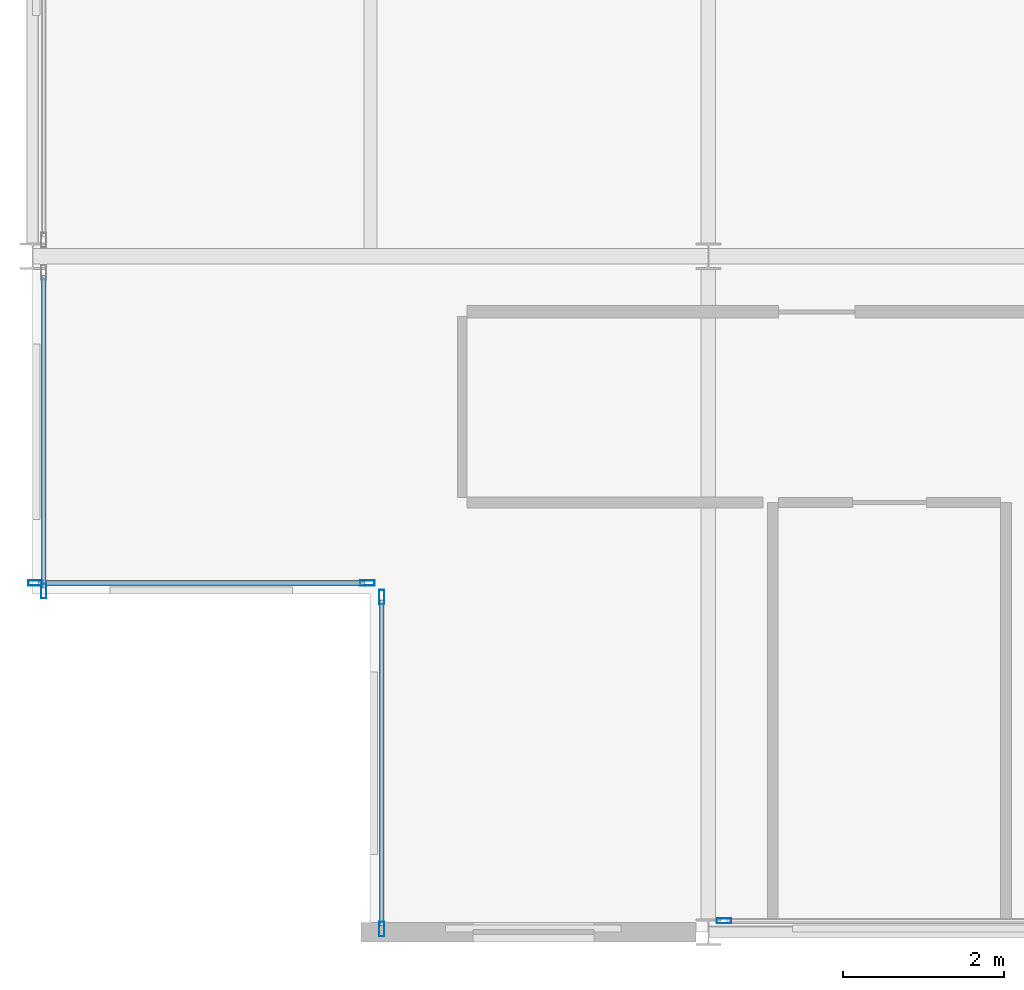
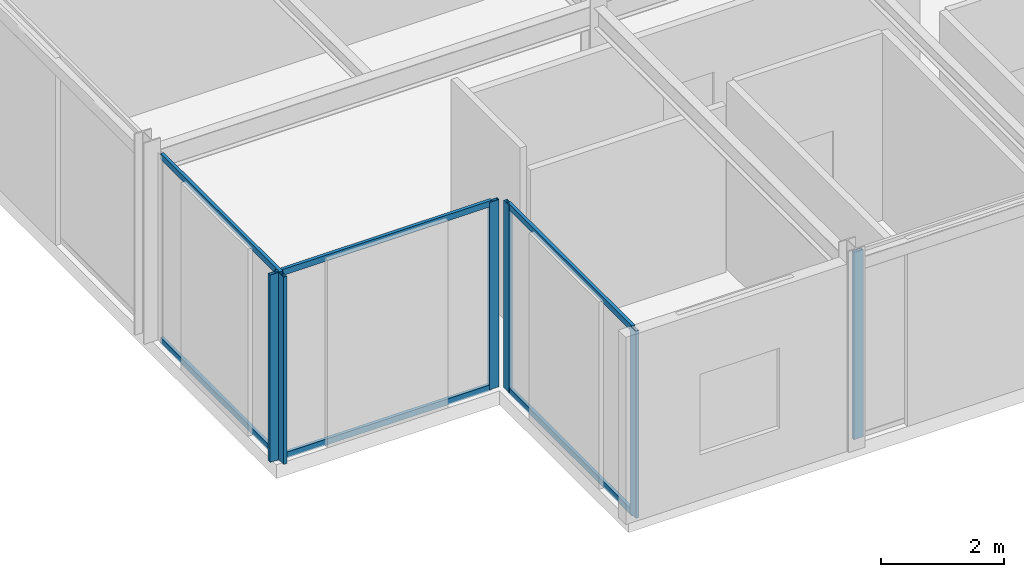
# One storey, part 3 of 24: 12 members, 4 elements without a shape of their own.
"""IFC4 building model written with IfcOpenShell, lengths in metres."""

from ifc_helpers import new_model, si_unit, direction, frame, origin, origin_2d, place, context, subcontext, project, spatial, hollow_rectangle, extrude, material, layer, layer_set, material_profile, profile_set, type_object, element, aggregate, save


model = new_model("IFC4")

# Units and contexts
model_context = context("Model", 3, precision=1e-05, world=origin(), true_north=direction((0.0, 1.0)))
body_context = subcontext(model_context, "Body", "Model", "MODEL_VIEW")
ifc_project = project(units=[si_unit("LENGTHUNIT", "METRE"), si_unit("AREAUNIT", "SQUARE_METRE"), si_unit("VOLUMEUNIT", "CUBIC_METRE"), si_unit("PLANEANGLEUNIT", "RADIAN"), si_unit("MASSUNIT", "GRAM", prefix="KILO")], contexts=[model_context])

# Site, building, storey
site_placement = place(None, origin())
site = spatial("IfcSite", under=ifc_project, at=site_placement, CompositionType="ELEMENT")
building_placement = place(site_placement, origin())
building = spatial("IfcBuilding", under=site, at=building_placement, Name="Nerrivon Quay Data Exchange", CompositionType="ELEMENT")
storey_placement = place(building_placement, frame((0.0, 0.0, 294.199951171875)))
storey = spatial("IfcBuildingStorey", under=building, at=storey_placement, Name="L70", CompositionType="ELEMENT", Elevation=294.199951171875)

# Curtain wall, member
ifc_material = material(Name="Anodised aluminium 6063-T6", Category="aluminium")
ifc_layer = layer(ifc_material, 0.195068359375)
ifc_layer_set = layer_set([ifc_layer], Name="Anodised aluminium 6063-T6")
curtain_wall_type = type_object("IfcCurtainWallType", Name="CW-SYS-06", PredefinedType="NOTDEFINED", material=ifc_layer_set)
curtain_wall_1_placement = place(storey_placement, origin())
curtain_wall_1 = element("IfcCurtainWall", 1, at=curtain_wall_1_placement, inside=storey, type_object=curtain_wall_type, Name="L70 Unitised Curtain Wall 4", PredefinedType="NOTDEFINED")
ifc_material_profile_1 = material_profile(ifc_material, hollow_rectangle(XDim=0.06494140625, YDim=0.179931640625, WallThickness=0.00341796875, at=origin_2d()), Name="ALU-MULL-180x65")
ifc_profile_set_1 = profile_set([ifc_material_profile_1], Name="Anodised aluminium 6063-T6")
member_type_1 = type_object("IfcMemberType", Name="CWM-180x65", PredefinedType="MULLION", material=ifc_profile_set_1)
member_1_placement = place(storey_placement, frame((8.593017578125, 0.139892578125, 0.0), z_axis=(0.0, 0.0, 1.0), x_axis=(0.0, -1.0, 0.0)))
member_1 = element("IfcMember", 2, at=member_1_placement, type_object=member_type_1, Name="CW06 mullion 2", PredefinedType="MULLION", context=body_context, shape_type="SweptSolid", body=[
    extrude(hollow_rectangle(XDim=0.06494140625, YDim=0.179931640625, WallThickness=0.00341796875, at=origin_2d()), origin(), (0.0, 0.0, 1.0), 3.72509765625),
])
aggregate(curtain_wall_1, [member_1])

# Curtain wall, members
curtain_wall_2_placement = place(storey_placement, origin())
curtain_wall_2 = element("IfcCurtainWall", 3, at=curtain_wall_2_placement, inside=storey, type_object=curtain_wall_type, Name="L70 Unitised Curtain Wall 6", PredefinedType="NOTDEFINED")
member_2_placement = place(storey_placement, frame((4.340087890625, 0.03759765625, 0.0), z_axis=(0.0, 0.0, 1.0), x_axis=(-1.0, 0.0, 0.0)))
member_2 = element("IfcMember", 4, at=member_2_placement, type_object=member_type_1, Name="CW06 mullion 1", PredefinedType="MULLION", context=body_context, shape_type="SweptSolid", body=[
    extrude(hollow_rectangle(XDim=0.06494140625, YDim=0.179931640625, WallThickness=0.00341796875, at=origin_2d()), origin(), (0.0, 0.0, 1.0), 3.72509765625),
])
member_3_placement = place(storey_placement, frame((4.340087890625, 4.16259765625, 0.0), z_axis=(0.0, 0.0, 1.0), x_axis=(-1.0, 0.0, 0.0)))
member_3 = element("IfcMember", 5, at=member_3_placement, type_object=member_type_1, Name="CW06 mullion 2", PredefinedType="MULLION", context=body_context, shape_type="SweptSolid", body=[
    extrude(hollow_rectangle(XDim=0.06494140625, YDim=0.179931640625, WallThickness=0.00341796875, at=origin_2d()), origin(), (0.0, 0.0, 1.0), 3.72509765625),
])

curtain_wall_3_placement = place(storey_placement, origin())
curtain_wall_3 = element("IfcCurtainWall", 6, at=curtain_wall_3_placement, inside=storey, type_object=curtain_wall_type, Name="L70 Unitised Curtain Wall 7", PredefinedType="NOTDEFINED")
member_4_placement = place(storey_placement, frame((4.16259765625, 4.340087890625, 0.0), z_axis=(0.0, 0.0, 1.0), x_axis=(0.0, -1.0, 0.0)))
member_4 = element("IfcMember", 7, at=member_4_placement, type_object=member_type_1, Name="CW06 mullion 1", PredefinedType="MULLION", context=body_context, shape_type="SweptSolid", body=[
    extrude(hollow_rectangle(XDim=0.06494140625, YDim=0.179931640625, WallThickness=0.00341796875, at=origin_2d()), origin(), (0.0, 0.0, 1.0), 3.72509765625),
])
member_5_placement = place(storey_placement, frame((0.03759765625, 4.340087890625, 0.0), z_axis=(0.0, 0.0, 1.0), x_axis=(0.0, -1.0, 0.0)))
member_5 = element("IfcMember", 8, at=member_5_placement, type_object=member_type_1, Name="CW06 mullion 2", PredefinedType="MULLION", context=body_context, shape_type="SweptSolid", body=[
    extrude(hollow_rectangle(XDim=0.06494140625, YDim=0.179931640625, WallThickness=0.00341796875, at=origin_2d()), origin(), (0.0, 0.0, 1.0), 3.72509765625),
])

# Curtain wall, member
curtain_wall_4_placement = place(storey_placement, origin())
curtain_wall_4 = element("IfcCurtainWall", 9, at=curtain_wall_4_placement, inside=storey, type_object=curtain_wall_type, Name="L70 Unitised Curtain Wall 8", PredefinedType="NOTDEFINED")
member_6_placement = place(storey_placement, frame((0.139892578125, 4.237548828125, 0.0), z_axis=(0.0, 0.0, 1.0), x_axis=(-1.0, 0.0, 0.0)))
member_6 = element("IfcMember", 10, at=member_6_placement, type_object=member_type_1, Name="CW06 mullion 1", PredefinedType="MULLION", context=body_context, shape_type="SweptSolid", body=[
    extrude(hollow_rectangle(XDim=0.06494140625, YDim=0.179931640625, WallThickness=0.00341796875, at=origin_2d()), origin(), (0.0, 0.0, 1.0), 3.72509765625),
])

# Member
ifc_material_profile_2 = material_profile(ifc_material, hollow_rectangle(XDim=0.06005859375, YDim=0.1201171875, WallThickness=0.003173828125, at=origin_2d()), Name="ALU-TRAN-120x60")
ifc_profile_set_2 = profile_set([ifc_material_profile_2], Name="Anodised aluminium 6063-T6")
member_type_2 = type_object("IfcMemberType", Name="CWT-120x60", PredefinedType="USERDEFINED", material=ifc_profile_set_2)
member_7_placement = place(storey_placement, frame((4.340087890625, 0.074951171875, 0.032470703125), z_axis=(0.0, 1.0, 0.0), x_axis=(-1.0, 0.0, 0.0)))
member_7 = element("IfcMember", 11, at=member_7_placement, type_object=member_type_2, Name="CW06 transom 1.1", ObjectType="TRANSOM", PredefinedType="USERDEFINED", context=body_context, shape_type="SweptSolid", body=[
    extrude(hollow_rectangle(XDim=0.06005859375, YDim=0.1201171875, WallThickness=0.003173828125, at=origin_2d()), origin(), (0.0, 0.0, 1.0), 4.050048828125),
])

member_8_placement = place(storey_placement, frame((4.340087890625, 0.074951171875, 3.692626953125), z_axis=(0.0, 1.0, 0.0), x_axis=(-1.0, 0.0, 0.0)))
member_8 = element("IfcMember", 12, at=member_8_placement, type_object=member_type_2, Name="CW06 transom 1.2", ObjectType="TRANSOM", PredefinedType="USERDEFINED", context=body_context, shape_type="SweptSolid", body=[
    extrude(hollow_rectangle(XDim=0.06005859375, YDim=0.1201171875, WallThickness=0.003173828125, at=origin_2d()), origin(), (0.0, 0.0, 1.0), 4.050048828125),
])

aggregate(curtain_wall_2, [member_2, member_3, member_7, member_8])

member_9_placement = place(storey_placement, frame((4.125, 4.340087890625, 0.032470703125), z_axis=(-1.0, 0.0, 0.0), x_axis=(0.0, -1.0, 0.0)))
member_9 = element("IfcMember", 13, at=member_9_placement, type_object=member_type_2, Name="CW06 transom 1.1", ObjectType="TRANSOM", PredefinedType="USERDEFINED", context=body_context, shape_type="SweptSolid", body=[
    extrude(hollow_rectangle(XDim=0.06005859375, YDim=0.1201171875, WallThickness=0.003173828125, at=origin_2d()), origin(), (0.0, 0.0, 1.0), 4.050048828125),
])

member_10_placement = place(storey_placement, frame((4.125, 4.340087890625, 3.692626953125), z_axis=(-1.0, 0.0, 0.0), x_axis=(0.0, -1.0, 0.0)))
member_10 = element("IfcMember", 14, at=member_10_placement, type_object=member_type_2, Name="CW06 transom 1.2", ObjectType="TRANSOM", PredefinedType="USERDEFINED", context=body_context, shape_type="SweptSolid", body=[
    extrude(hollow_rectangle(XDim=0.06005859375, YDim=0.1201171875, WallThickness=0.003173828125, at=origin_2d()), origin(), (0.0, 0.0, 1.0), 4.050048828125),
])

aggregate(curtain_wall_3, [member_4, member_5, member_9, member_10])

member_11_placement = place(storey_placement, frame((0.139892578125, 4.27490234375, 0.032470703125), z_axis=(0.0, 1.0, 0.0), x_axis=(-1.0, 0.0, 0.0)))
member_11 = element("IfcMember", 15, at=member_11_placement, type_object=member_type_2, Name="CW06 transom 1.1", ObjectType="TRANSOM", PredefinedType="USERDEFINED", context=body_context, shape_type="SweptSolid", body=[
    extrude(hollow_rectangle(XDim=0.06005859375, YDim=0.1201171875, WallThickness=0.003173828125, at=origin_2d()), origin(), (0.0, 0.0, 1.0), 3.88671875),
])

member_12_placement = place(storey_placement, frame((0.139892578125, 4.27490234375, 3.692626953125), z_axis=(0.0, 1.0, 0.0), x_axis=(-1.0, 0.0, 0.0)))
member_12 = element("IfcMember", 16, at=member_12_placement, type_object=member_type_2, Name="CW06 transom 1.2", ObjectType="TRANSOM", PredefinedType="USERDEFINED", context=body_context, shape_type="SweptSolid", body=[
    extrude(hollow_rectangle(XDim=0.06005859375, YDim=0.1201171875, WallThickness=0.003173828125, at=origin_2d()), origin(), (0.0, 0.0, 1.0), 3.88671875),
])

aggregate(curtain_wall_4, [member_6, member_11, member_12])

save(model, "model.ifc")
